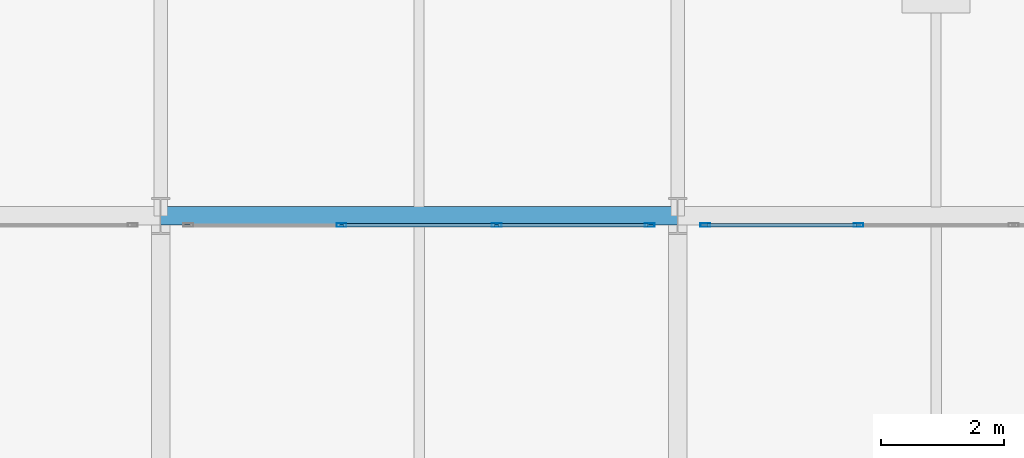
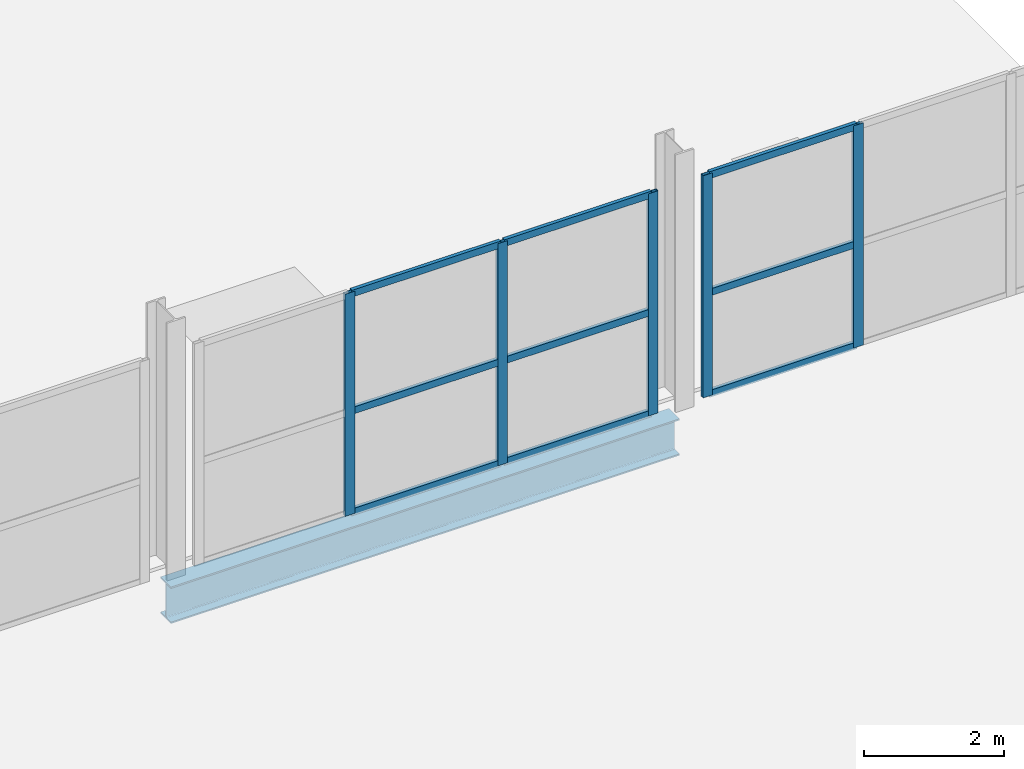
# One storey, part 74 of 130: 14 members, 1 beam, 2 elements without a shape of their own.
"""IFC4 building model written with IfcOpenShell, lengths in metres."""

from ifc_helpers import new_model, si_unit, direction, frame, origin, origin_2d, place, context, subcontext, project, spatial, hollow_rectangle, i_section, extrude, material, material_profile, profile_set, type_object, element, aggregate, save


model = new_model("IFC4")

# Units and contexts
model_context = context("Model", 3, precision=1e-05, world=origin(), true_north=direction((0.0, 1.0)))
body_context = subcontext(model_context, "Body", "Model", "MODEL_VIEW")
ifc_project = project(units=[si_unit("LENGTHUNIT", "METRE"), si_unit("AREAUNIT", "SQUARE_METRE"), si_unit("VOLUMEUNIT", "CUBIC_METRE"), si_unit("PLANEANGLEUNIT", "RADIAN"), si_unit("MASSUNIT", "GRAM", prefix="KILO")], contexts=[model_context])

# Site, building, storey
site_placement = place(None, origin())
site = spatial("IfcSite", under=ifc_project, at=site_placement, CompositionType="ELEMENT")
building_placement = place(site_placement, origin())
building = spatial("IfcBuilding", under=site, at=building_placement, Name="Veltarok Museum of Natural Sciences", CompositionType="ELEMENT")
storey_placement = place(building_placement, frame((0.0, 0.0, 12.89990234375)))
storey = spatial("IfcBuildingStorey", under=building, at=storey_placement, Name="L02", CompositionType="ELEMENT", Elevation=12.89990234375)

# Curtain wall, members
ifc_material_1 = material(Name="Low-iron triple insulated glass", Category="glass")
curtain_wall_type_1 = type_object("IfcCurtainWallType", Name="Curtain Wall System CW-V2N-L02-8-756x388 (V2 North Hall L02 8-9 756x388cm)", PredefinedType="NOTDEFINED", material=ifc_material_1)
curtain_wall_1_placement = place(storey_placement, origin())
curtain_wall_1 = element("IfcCurtainWall", 1, at=curtain_wall_1_placement, inside=storey, type_object=curtain_wall_type_1, Name="Curtain Wall CW-V2N-L02-8-756x388 CW-0051", PredefinedType="NOTDEFINED")
ifc_material_2 = material(Name="Thermally broken anodised aluminium", Category="aluminium")
ifc_material_profile_1 = material_profile(ifc_material_2, hollow_rectangle(XDim=0.06005859375, YDim=0.1201171875, WallThickness=0.0048828125, at=origin_2d()), Name="CW TRANSOM 60x120x5")
ifc_profile_set_1 = profile_set([ifc_material_profile_1], Name="Thermally broken anodised aluminium")
member_type_1 = type_object("IfcMemberType", Name="Curtain Wall Horizontal Transom 60x120x5", PredefinedType="USERDEFINED", material=ifc_profile_set_1)
member_1_placement = place(storey_placement, frame((73.1201171875, 71.85009765625, 0.030029296875), z_axis=(-1.0, 0.0, 0.0), x_axis=(0.0, -1.0, 0.0)))
member_1 = element("IfcMember", 2, at=member_1_placement, type_object=member_type_1, Name="CW-V2N-L02-8-756x388 transom 1.1", ObjectType="TRANSOM", PredefinedType="USERDEFINED", context=body_context, shape_type="SweptSolid", body=[
    extrude(hollow_rectangle(XDim=0.06005859375, YDim=0.1201171875, WallThickness=0.0048828125, at=origin_2d()), origin(), (0.0, 0.0, 1.0), 2.43017578125),
])
member_2_placement = place(storey_placement, frame((73.1201171875, 71.85009765625, 1.800048828125), z_axis=(-1.0, 0.0, 0.0), x_axis=(0.0, -1.0, 0.0)))
member_2 = element("IfcMember", 3, at=member_2_placement, type_object=member_type_1, Name="CW-V2N-L02-8-756x388 transom 1.2", ObjectType="TRANSOM", PredefinedType="USERDEFINED", context=body_context, shape_type="SweptSolid", body=[
    extrude(hollow_rectangle(XDim=0.06005859375, YDim=0.1201171875, WallThickness=0.0048828125, at=origin_2d()), origin(), (0.0, 0.0, 1.0), 2.43017578125),
])
member_3_placement = place(storey_placement, frame((73.1201171875, 71.85009765625, 3.85009765625), z_axis=(-1.0, 0.0, 0.0), x_axis=(0.0, -1.0, 0.0)))
member_3 = element("IfcMember", 4, at=member_3_placement, type_object=member_type_1, Name="CW-V2N-L02-8-756x388 transom 1.3", ObjectType="TRANSOM", PredefinedType="USERDEFINED", context=body_context, shape_type="SweptSolid", body=[
    extrude(hollow_rectangle(XDim=0.06005859375, YDim=0.1201171875, WallThickness=0.0048828125, at=origin_2d()), origin(), (0.0, 0.0, 1.0), 2.43017578125),
])
member_4_placement = place(storey_placement, frame((70.6298828125, 71.85009765625, 0.030029296875), z_axis=(-1.0, 0.0, 0.0), x_axis=(0.0, -1.0, 0.0)))
member_4 = element("IfcMember", 5, at=member_4_placement, type_object=member_type_1, Name="CW-V2N-L02-8-756x388 transom 2.1", ObjectType="TRANSOM", PredefinedType="USERDEFINED", context=body_context, shape_type="SweptSolid", body=[
    extrude(hollow_rectangle(XDim=0.06005859375, YDim=0.1201171875, WallThickness=0.0048828125, at=origin_2d()), origin(), (0.0, 0.0, 1.0), 2.4599609375),
])
member_5_placement = place(storey_placement, frame((70.6298828125, 71.85009765625, 1.800048828125), z_axis=(-1.0, 0.0, 0.0), x_axis=(0.0, -1.0, 0.0)))
member_5 = element("IfcMember", 6, at=member_5_placement, type_object=member_type_1, Name="CW-V2N-L02-8-756x388 transom 2.2", ObjectType="TRANSOM", PredefinedType="USERDEFINED", context=body_context, shape_type="SweptSolid", body=[
    extrude(hollow_rectangle(XDim=0.06005859375, YDim=0.1201171875, WallThickness=0.0048828125, at=origin_2d()), origin(), (0.0, 0.0, 1.0), 2.4599609375),
])
member_6_placement = place(storey_placement, frame((70.6298828125, 71.85009765625, 3.85009765625), z_axis=(-1.0, 0.0, 0.0), x_axis=(0.0, -1.0, 0.0)))
member_6 = element("IfcMember", 7, at=member_6_placement, type_object=member_type_1, Name="CW-V2N-L02-8-756x388 transom 2.3", ObjectType="TRANSOM", PredefinedType="USERDEFINED", context=body_context, shape_type="SweptSolid", body=[
    extrude(hollow_rectangle(XDim=0.06005859375, YDim=0.1201171875, WallThickness=0.0048828125, at=origin_2d()), origin(), (0.0, 0.0, 1.0), 2.4599609375),
])

curtain_wall_type_2 = type_object("IfcCurtainWallType", Name="Curtain Wall System CW-V2N-L02-9-756x388 (V2 North Hall L02 9-10 756x388cm)", PredefinedType="NOTDEFINED", material=ifc_material_1)
curtain_wall_2_placement = place(storey_placement, origin())
curtain_wall_2 = element("IfcCurtainWall", 8, at=curtain_wall_2_placement, inside=storey, type_object=curtain_wall_type_2, Name="Curtain Wall CW-V2N-L02-9-756x388 CW-0052", PredefinedType="NOTDEFINED")
member_7_placement = place(storey_placement, frame((76.510009765625, 71.85009765625, 0.030029296875), z_axis=(-1.0, 0.0, 0.0), x_axis=(0.0, -1.0, 0.0)))
member_7 = element("IfcMember", 9, at=member_7_placement, type_object=member_type_1, Name="CW-V2N-L02-9-756x388 transom 3.1", ObjectType="TRANSOM", PredefinedType="USERDEFINED", context=body_context, shape_type="SweptSolid", body=[
    extrude(hollow_rectangle(XDim=0.06005859375, YDim=0.1201171875, WallThickness=0.0048828125, at=origin_2d()), origin(), (0.0, 0.0, 1.0), 2.429931640625),
])
member_8_placement = place(storey_placement, frame((76.510009765625, 71.85009765625, 1.800048828125), z_axis=(-1.0, 0.0, 0.0), x_axis=(0.0, -1.0, 0.0)))
member_8 = element("IfcMember", 10, at=member_8_placement, type_object=member_type_1, Name="CW-V2N-L02-9-756x388 transom 3.2", ObjectType="TRANSOM", PredefinedType="USERDEFINED", context=body_context, shape_type="SweptSolid", body=[
    extrude(hollow_rectangle(XDim=0.06005859375, YDim=0.1201171875, WallThickness=0.0048828125, at=origin_2d()), origin(), (0.0, 0.0, 1.0), 2.429931640625),
])
member_9_placement = place(storey_placement, frame((76.510009765625, 71.85009765625, 3.85009765625), z_axis=(-1.0, 0.0, 0.0), x_axis=(0.0, -1.0, 0.0)))
member_9 = element("IfcMember", 11, at=member_9_placement, type_object=member_type_1, Name="CW-V2N-L02-9-756x388 transom 3.3", ObjectType="TRANSOM", PredefinedType="USERDEFINED", context=body_context, shape_type="SweptSolid", body=[
    extrude(hollow_rectangle(XDim=0.06005859375, YDim=0.1201171875, WallThickness=0.0048828125, at=origin_2d()), origin(), (0.0, 0.0, 1.0), 2.429931640625),
])

# Member
ifc_material_profile_2 = material_profile(ifc_material_2, hollow_rectangle(XDim=0.06005859375, YDim=0.159912109375, WallThickness=0.0048828125, at=origin_2d()), Name="CW MULLION 60x160x5")
ifc_profile_set_2 = profile_set([ifc_material_profile_2], Name="Thermally broken anodised aluminium")
member_type_2 = type_object("IfcMemberType", Name="Curtain Wall Vertical Mullion 60x160x5", PredefinedType="MULLION", material=ifc_profile_set_2)
member_10_placement = place(storey_placement, frame((73.14990234375, 71.85009765625, 0.0), z_axis=(0.0, 0.0, 1.0), x_axis=(0.0, -1.0, 0.0)))
member_10 = element("IfcMember", 12, at=member_10_placement, type_object=member_type_2, Name="CW-V2N-L02-8-756x388 mullion 1", PredefinedType="MULLION", context=body_context, shape_type="SweptSolid", body=[
    extrude(hollow_rectangle(XDim=0.06005859375, YDim=0.159912109375, WallThickness=0.0048828125, at=origin_2d()), origin(), (0.0, 0.0, 1.0), 3.880126953125),
])

member_11_placement = place(storey_placement, frame((70.659912109375, 71.85009765625, 0.0), z_axis=(0.0, 0.0, 1.0), x_axis=(0.0, -1.0, 0.0)))
member_11 = element("IfcMember", 13, at=member_11_placement, type_object=member_type_2, Name="CW-V2N-L02-8-756x388 mullion 2", PredefinedType="MULLION", context=body_context, shape_type="SweptSolid", body=[
    extrude(hollow_rectangle(XDim=0.06005859375, YDim=0.159912109375, WallThickness=0.0048828125, at=origin_2d()), origin(), (0.0, 0.0, 1.0), 3.880126953125),
])

member_12_placement = place(storey_placement, frame((68.139892578125, 71.85009765625, 0.0), z_axis=(0.0, 0.0, 1.0), x_axis=(0.0, -1.0, 0.0)))
member_12 = element("IfcMember", 14, at=member_12_placement, type_object=member_type_2, Name="CW-V2N-L02-8-756x388 mullion 3", PredefinedType="MULLION", context=body_context, shape_type="SweptSolid", body=[
    extrude(hollow_rectangle(XDim=0.06005859375, YDim=0.159912109375, WallThickness=0.0048828125, at=origin_2d()), origin(), (0.0, 0.0, 1.0), 3.880126953125),
])

aggregate(curtain_wall_1, [member_10, member_11, member_12, member_1, member_2, member_3, member_4, member_5, member_6])

member_13_placement = place(storey_placement, frame((76.5400390625, 71.85009765625, 0.0), z_axis=(0.0, 0.0, 1.0), x_axis=(0.0, -1.0, 0.0)))
member_13 = element("IfcMember", 15, at=member_13_placement, type_object=member_type_2, Name="CW-V2N-L02-9-756x388 mullion 3", PredefinedType="MULLION", context=body_context, shape_type="SweptSolid", body=[
    extrude(hollow_rectangle(XDim=0.06005859375, YDim=0.159912109375, WallThickness=0.0048828125, at=origin_2d()), origin(), (0.0, 0.0, 1.0), 3.880126953125),
])

member_14_placement = place(storey_placement, frame((74.050048828125, 71.85009765625, 0.0), z_axis=(0.0, 0.0, 1.0), x_axis=(0.0, -1.0, 0.0)))
member_14 = element("IfcMember", 16, at=member_14_placement, type_object=member_type_2, Name="CW-V2N-L02-9-756x388 mullion 4", PredefinedType="MULLION", context=body_context, shape_type="SweptSolid", body=[
    extrude(hollow_rectangle(XDim=0.06005859375, YDim=0.159912109375, WallThickness=0.0048828125, at=origin_2d()), origin(), (0.0, 0.0, 1.0), 3.880126953125),
])

aggregate(curtain_wall_2, [member_13, member_14, member_7, member_8, member_9])

# Beam
ifc_material_3 = material(Name="Steel S355J2", Category="steel")
ifc_material_profile_3 = material_profile(ifc_material_3, i_section(OverallWidth=0.300048828125, OverallDepth=0.639892578125, WebThickness=0.013427734375, FlangeThickness=0.02587890625, FilletRadius=0.027099609375, at=origin_2d()), Name="HEA 650")
ifc_profile_set_3 = profile_set([ifc_material_profile_3], Name="Steel S355J2")
beam_type = type_object("IfcBeamType", Name="Heavy Exhibition Girder HEA 650", PredefinedType="BEAM", material=ifc_profile_set_3)
beam_placement = place(storey_placement, frame((65.199951171875, 72.0, -0.56982421875), z_axis=(1.0, 0.0, 0.0), x_axis=(0.0, 1.0, 0.0)))
element("IfcBeam", 17, at=beam_placement, inside=storey, type_object=beam_type, Name="Beam BM-G08 L02 8-9/H", PredefinedType="BEAM", context=body_context, shape_type="SweptSolid", body=[
    extrude(i_section(OverallWidth=0.300048828125, OverallDepth=0.639892578125, WebThickness=0.013427734375, FlangeThickness=0.02587890625, FilletRadius=0.027099609375, at=origin_2d()), origin(), (0.0, 0.0, 1.0), 8.400146484375),
])

save(model, "model.ifc")
